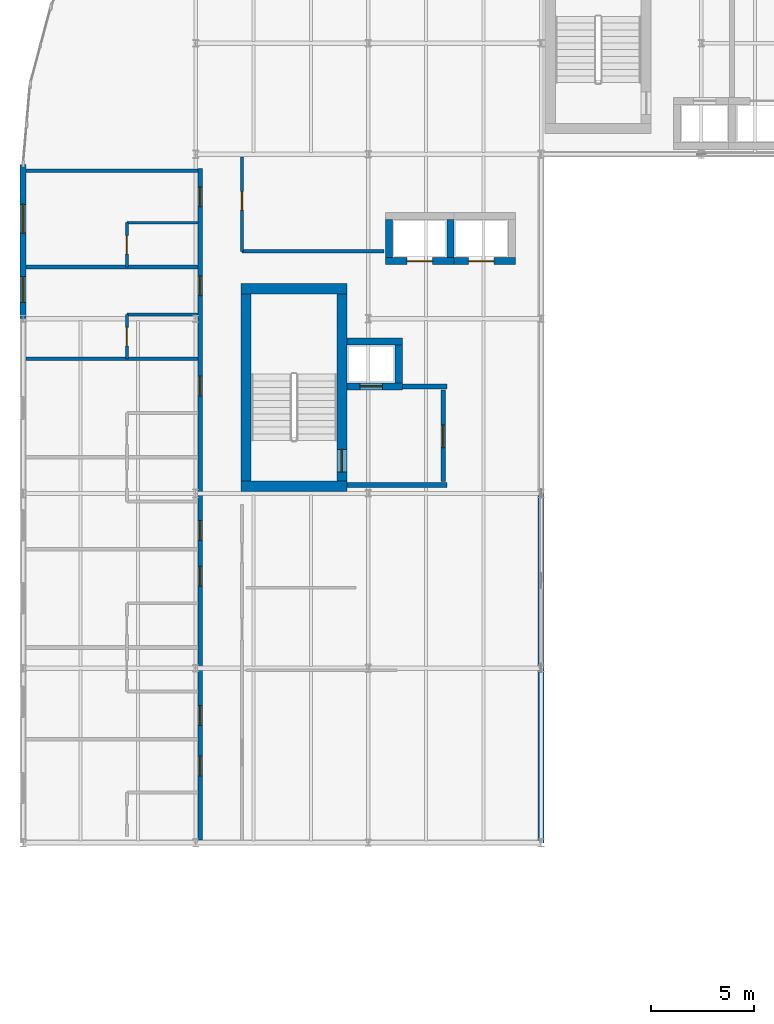
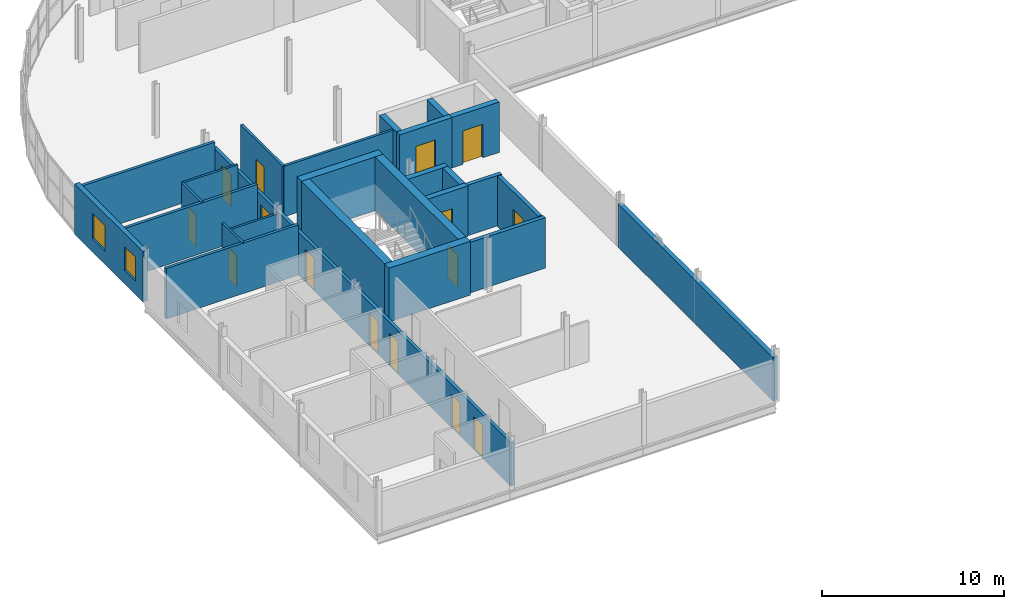
# One storey, part 14 of 25: 26 walls, 15 doors, 2 windows, 17 openings.
"""IFC4 building model written with IfcOpenShell, lengths in metres."""

from ifc_helpers import new_model, si_unit, direction, frame, frame_2d, origin, place, context, subcontext, project, spatial, rectangle, extrude, material, layer, layer_set, type_object, element, fill, save


model = new_model("IFC4")

# Units and contexts
model_context = context("Model", 3, precision=1e-05, world=origin(), true_north=direction((0.0, 1.0)))
body_context = subcontext(model_context, "Body", "Model", "MODEL_VIEW")
ifc_project = project(units=[si_unit("LENGTHUNIT", "METRE"), si_unit("AREAUNIT", "SQUARE_METRE"), si_unit("VOLUMEUNIT", "CUBIC_METRE"), si_unit("PLANEANGLEUNIT", "RADIAN"), si_unit("MASSUNIT", "GRAM", prefix="KILO")], contexts=[model_context])

# Site, building, storey
site_placement = place(None, origin())
site = spatial("IfcSite", under=ifc_project, at=site_placement, CompositionType="ELEMENT")
building_placement = place(site_placement, origin())
building = spatial("IfcBuilding", under=site, at=building_placement, Name="Sefraquen Railside Congress Hotel", CompositionType="ELEMENT")
storey_placement = place(building_placement, frame((0.0, 0.0, 39.0)))
storey = spatial("IfcBuildingStorey", under=building, at=storey_placement, Name="L09", CompositionType="ELEMENT", Elevation=39.0)

# Wall
ifc_material_1 = material(Name="Concrete C50/60", Category="concrete")
ifc_layer_1 = layer(ifc_material_1, 0.35009765625)
ifc_layer_set_1 = layer_set([ifc_layer_1], Name="Concrete C50/60")
wall_type_1 = type_object("IfcWallType", Name="TW-CW-350", PredefinedType="SHEAR", material=ifc_layer_set_1)
wall_1_placement = place(storey_placement, frame((15.760009765625, 86.89501953125, 0.0), z_axis=(0.0, 0.0, 1.0), x_axis=(1.0, 0.0, 0.0)))
element("IfcWall", 1, at=wall_1_placement, inside=storey, type_object=wall_type_1, Name="Lift FL-01 shaft wall N L09", PredefinedType="SHEAR", context=body_context, shape_type="SweptSolid", body=[
    extrude(rectangle(XDim=2.68994140625, YDim=0.35009765625, at=frame_2d((1.344970703125, 0.0))), origin(), (0.0, 0.0, 1.0), 3.3798828125),
])

# Wall, opening, door
wall_2_placement = place(storey_placement, frame((15.760009765625, 84.705078125, 0.0), z_axis=(0.0, 0.0, 1.0), x_axis=(1.0, 0.0, 0.0)))
wall_2 = element("IfcWall", 2, at=wall_2_placement, inside=storey, type_object=wall_type_1, Name="Lift FL-01 shaft wall S L09", PredefinedType="SHEAR", context=body_context, shape_type="SweptSolid", body=[
    extrude(rectangle(XDim=2.68994140625, YDim=0.35009765625, at=frame_2d((1.344970703125, 0.0))), origin(), (0.0, 0.0, 1.0), 3.3798828125),
])
opening_1_placement = place(wall_2_placement, frame((0.6201171875, 0.0, 0.0)))
opening_1 = element("IfcOpeningElement", 3, at=opening_1_placement, cuts=wall_2, Name="Opening LD-01", PredefinedType="OPENING", context=body_context, shape_type="SweptSolid", body=[
    extrude(rectangle(XDim=1.10009765625, YDim=2.199951171875, at=frame_2d((0.550048828125, 1.10009765625))), frame((0.0, 0.18505859375, 0.0), z_axis=(0.0, -1.0, 0.0), x_axis=(1.0, 0.0, 0.0)), (0.0, 0.0, 1.0), 0.3701171875),
])
ifc_material_2 = material(Name="Brushed bronze stainless steel", Category="steel")
door_type_1 = type_object("IfcDoorType", Name="TD-LD-01", OperationType="NOTDEFINED", PredefinedType="DOOR", material=ifc_material_2)
door_1_placement = place(opening_1_placement, origin())
door_1 = element("IfcDoor", 4, at=door_1_placement, inside=storey, type_object=door_type_1, Name="Lift landing door FL-01 L09", OperationType="SLIDING_TO_LEFT", OverallHeight=2.199951171875, OverallWidth=1.10009765625, PredefinedType="DOOR", context=body_context, shape_type="SweptSolid", body=[
    extrude(rectangle(XDim=1.10009765625, YDim=2.199951171875, at=frame_2d((0.550048828125, 1.10009765625))), frame((0.0, 0.02490234375, 0.0), z_axis=(0.0, -1.0, 0.0), x_axis=(1.0, 0.0, 0.0)), (0.0, 0.0, 1.0), 0.050048828125),
])
fill(opening_1, door_1)

# Wall
wall_3_placement = place(storey_placement, frame((18.27490234375, 84.8798828125, 0.0), z_axis=(0.0, 0.0, 1.0), x_axis=(0.0, 1.0, 0.0)))
element("IfcWall", 5, at=wall_3_placement, inside=storey, type_object=wall_type_1, Name="Lift FL-01 shaft wall E L09", PredefinedType="SHEAR", context=body_context, shape_type="SweptSolid", body=[
    extrude(rectangle(XDim=1.840087890625, YDim=0.35009765625, at=frame_2d((0.919921875, 0.0))), origin(), (0.0, 0.0, 1.0), 3.3798828125),
])

# Wall, opening, door
wall_4_placement = place(storey_placement, frame((17.6298828125, 90.804931640625, 0.0), z_axis=(0.0, 0.0, 1.0), x_axis=(1.0, 0.0, 0.0)))
wall_4 = element("IfcWall", 6, at=wall_4_placement, inside=storey, type_object=wall_type_1, Name="Lift PL-01 shaft wall S L09", PredefinedType="SHEAR", context=body_context, shape_type="SweptSolid", body=[
    extrude(rectangle(XDim=3.340087890625, YDim=0.35009765625, at=frame_2d((1.669921875, 0.0))), origin(), (0.0, 0.0, 1.0), 3.3798828125),
])
opening_2_placement = place(wall_4_placement, frame((1.044921875, 0.0, 0.0)))
opening_2 = element("IfcOpeningElement", 7, at=opening_2_placement, cuts=wall_4, Name="Opening LD-02", PredefinedType="OPENING", context=body_context, shape_type="SweptSolid", body=[
    extrude(rectangle(XDim=1.25, YDim=2.25, at=frame_2d((0.625, 1.125))), frame((0.0, 0.18505859375, 0.0), z_axis=(0.0, -1.0, 0.0), x_axis=(1.0, 0.0, 0.0)), (0.0, 0.0, 1.0), 0.3701171875),
])
ifc_material_3 = material(Name="Brushed stainless steel", Category="steel")
door_type_2 = type_object("IfcDoorType", Name="TD-LD-02", OperationType="NOTDEFINED", PredefinedType="DOOR", material=ifc_material_3)
door_2_placement = place(opening_2_placement, origin())
door_2 = element("IfcDoor", 8, at=door_2_placement, inside=storey, type_object=door_type_2, Name="Lift landing door PL-01 L09", OperationType="SLIDING_TO_LEFT", OverallHeight=2.25, OverallWidth=1.25, PredefinedType="DOOR", context=body_context, shape_type="SweptSolid", body=[
    extrude(rectangle(XDim=1.25, YDim=2.25, at=frame_2d((0.625, 1.125))), frame((0.0, 0.02490234375, 0.0), z_axis=(0.0, -1.0, 0.0), x_axis=(1.0, 0.0, 0.0)), (0.0, 0.0, 1.0), 0.050048828125),
])
fill(opening_2, door_2)

# Walls
for number, where, z_axis, x_axis, name in (
    (9, (17.804931640625, 90.97998046875, 0.0), (0.0, 0.0, 1.0), (0.0, 1.0, 0.0), "Lift PL-01 shaft wall W L09"),
    (10, (20.794921875, 90.97998046875, 0.0), (0.0, 0.0, 1.0), (0.0, 1.0, 0.0), "Lift PL-01 shaft wall E L09"),
):
    element("IfcWall", number, at=place(storey_placement, frame(where, z_axis=z_axis, x_axis=x_axis)), inside=storey, type_object=wall_type_1, Name=name, PredefinedType="SHEAR", context=body_context, shape_type="SweptSolid", body=[
        extrude(rectangle(XDim=1.840087890625, YDim=0.35009765625, at=frame_2d((0.919921875, 0.0))), origin(), (0.0, 0.0, 1.0), 3.3798828125),
    ])

# Wall, opening, door
wall_5_placement = place(storey_placement, frame((20.969970703125, 90.804931640625, 0.0), z_axis=(0.0, 0.0, 1.0), x_axis=(1.0, 0.0, 0.0)))
wall_5 = element("IfcWall", 11, at=wall_5_placement, inside=storey, type_object=wall_type_1, Name="Lift PL-02 shaft wall S L09", PredefinedType="SHEAR", context=body_context, shape_type="SweptSolid", body=[
    extrude(rectangle(XDim=2.989990234375, YDim=0.35009765625, at=frame_2d((1.4951171875, 0.0))), origin(), (0.0, 0.0, 1.0), 3.3798828125),
])
opening_3_placement = place(wall_5_placement, frame((0.695068359375, 0.0, 0.0)))
opening_3 = element("IfcOpeningElement", 12, at=opening_3_placement, cuts=wall_5, Name="Opening LD-02", PredefinedType="OPENING", context=body_context, shape_type="SweptSolid", body=[
    extrude(rectangle(XDim=1.25, YDim=2.25, at=frame_2d((0.625, 1.125))), frame((0.0, 0.18505859375, 0.0), z_axis=(0.0, -1.0, 0.0), x_axis=(1.0, 0.0, 0.0)), (0.0, 0.0, 1.0), 0.3701171875),
])
door_3_placement = place(opening_3_placement, origin())
door_3 = element("IfcDoor", 13, at=door_3_placement, inside=storey, type_object=door_type_2, Name="Lift landing door PL-02 L09", OperationType="SLIDING_TO_LEFT", OverallHeight=2.25, OverallWidth=1.25, PredefinedType="DOOR", context=body_context, shape_type="SweptSolid", body=[
    extrude(rectangle(XDim=1.25, YDim=2.25, at=frame_2d((0.625, 1.125))), frame((0.0, 0.02490234375, 0.0), z_axis=(0.0, -1.0, 0.0), x_axis=(1.0, 0.0, 0.0)), (0.0, 0.0, 1.0), 0.050048828125),
])
fill(opening_3, door_3)

# Walls
ifc_layer_2 = layer(ifc_material_1, 0.5)
ifc_layer_set_2 = layer_set([ifc_layer_2], Name="Concrete C50/60")
wall_type_2 = type_object("IfcWallType", Name="TW-CW-500", PredefinedType="SHEAR", material=ifc_layer_set_2)
for number, where, z_axis, x_axis, name in (
    (14, (10.60009765625, 89.4619140625, 0.0), (0.0, 0.0, 1.0), (1.0, 0.0, 0.0), "Core shear wall ST-H01 N L09"),
    (15, (10.60009765625, 79.85009765625, 0.0), (0.0, 0.0, 1.0), (1.0, 0.0, 0.0), "Core shear wall ST-H01 S L09"),
):
    element("IfcWall", number, at=place(storey_placement, frame(where, z_axis=z_axis, x_axis=x_axis)), inside=storey, type_object=wall_type_2, Name=name, PredefinedType="SHEAR", context=body_context, shape_type="SweptSolid", body=[
        extrude(rectangle(XDim=5.159912109375, YDim=0.5, at=frame_2d((2.580078125, 0.0))), origin(), (0.0, 0.0, 1.0), 3.60009765625),
    ])
wall_6_placement = place(storey_placement, frame((10.85009765625, 80.10009765625, 0.0), z_axis=(0.0, 0.0, 1.0), x_axis=(0.0, 1.0, 0.0)))
element("IfcWall", 16, at=wall_6_placement, inside=storey, type_object=wall_type_2, Name="Core shear wall ST-H01 W L09", PredefinedType="SHEAR", context=body_context, shape_type="SweptSolid", body=[
    extrude(rectangle(XDim=9.11181640625, YDim=0.5, at=frame_2d((4.555908203125, 0.0))), origin(), (0.0, 0.0, 1.0), 3.60009765625),
])

# Wall, opening, door
wall_7_placement = place(storey_placement, frame((15.510009765625, 80.10009765625, 0.0), z_axis=(0.0, 0.0, 1.0), x_axis=(0.0, 1.0, 0.0)))
wall_7 = element("IfcWall", 17, at=wall_7_placement, inside=storey, type_object=wall_type_2, Name="Core shear wall ST-H01 E L09", PredefinedType="SHEAR", context=body_context, shape_type="SweptSolid", body=[
    extrude(rectangle(XDim=9.11181640625, YDim=0.5, at=frame_2d((4.555908203125, 0.0))), origin(), (0.0, 0.0, 1.0), 3.60009765625),
])
opening_4_placement = place(wall_7_placement, frame((0.43994140625, 0.0, 0.0)))
opening_4 = element("IfcOpeningElement", 18, at=opening_4_placement, cuts=wall_7, Name="Opening FD-04", PredefinedType="OPENING", context=body_context, shape_type="SweptSolid", body=[
    extrude(rectangle(XDim=1.10009765625, YDim=2.199951171875, at=frame_2d((0.550048828125, 1.10009765625))), frame((0.0, 0.260009765625, 0.0), z_axis=(0.0, -1.0, 0.0), x_axis=(1.0, 0.0, 0.0)), (0.0, 0.0, 1.0), 0.52001953125),
])
ifc_material_4 = material(Name="Fire-rated steel", Category="steel")
door_type_3 = type_object("IfcDoorType", Name="TD-FD-04", OperationType="NOTDEFINED", PredefinedType="DOOR", material=ifc_material_4)
door_4_placement = place(opening_4_placement, origin())
door_4 = element("IfcDoor", 19, at=door_4_placement, inside=storey, type_object=door_type_3, Name="Pressurized stair ST-H01 fire door L09", OperationType="SINGLE_SWING_LEFT", OverallHeight=2.199951171875, OverallWidth=1.10009765625, PredefinedType="DOOR", context=body_context, shape_type="SweptSolid", body=[
    extrude(rectangle(XDim=1.10009765625, YDim=2.199951171875, at=frame_2d((0.550048828125, 1.10009765625))), frame((0.0, 0.02490234375, 0.0), z_axis=(0.0, -1.0, 0.0), x_axis=(1.0, 0.0, 0.0)), (0.0, 0.0, 1.0), 0.050048828125),
])
fill(opening_4, door_4)

# Wall
ifc_material_5 = material(Name="Ochre Rabat calcarenite limestone and Concrete C40/50 backing", Category="masonry")
ifc_layer_3 = layer(ifc_material_5, 0.280029296875)
ifc_layer_set_3 = layer_set([ifc_layer_3], Name="Ochre Rabat calcarenite limestone and Concrete C40/50 backing")
wall_type_3 = type_object("IfcWallType", Name="TW-EW-280", PredefinedType="STANDARD", material=ifc_layer_set_3)
wall_8_placement = place(storey_placement, frame((25.199951171875, 62.5, 0.0), z_axis=(0.0, 0.0, 1.0), x_axis=(0.0, 1.0, 0.0)))
element("IfcWall", 20, at=wall_8_placement, inside=storey, type_object=wall_type_3, Name="Hotel L09 courtyard return wall", PredefinedType="STANDARD", context=body_context, shape_type="SweptSolid", body=[
    extrude(rectangle(XDim=17.0, YDim=0.280029296875, at=frame_2d((8.5, 0.0))), origin(), (0.0, 0.0, 1.0), 2.909912109375),
])

# Wall, openings, windows
ifc_layer_4 = layer(ifc_material_5, 0.300048828125)
ifc_layer_set_4 = layer_set([ifc_layer_4], Name="Ochre Rabat calcarenite limestone and Concrete C40/50 backing")
wall_type_4 = type_object("IfcWallType", Name="TW-EW-300", PredefinedType="STANDARD", material=ifc_layer_set_4)
wall_9_placement = place(storey_placement, frame((0.0, 88.0, 0.0), z_axis=(0.0, 0.0, 1.0), x_axis=(0.0, 1.0, 0.0)))
wall_9 = element("IfcWall", 21, at=wall_9_placement, inside=storey, type_object=wall_type_4, Name="Hotel L09 West Forecourt facade wall", PredefinedType="STANDARD", context=body_context, shape_type="SweptSolid", body=[
    extrude(rectangle(XDim=7.5, YDim=0.300048828125, at=frame_2d((3.75, 0.0))), origin(), (0.0, 0.0, 1.0), 3.3798828125),
])
opening_5_placement = place(wall_9_placement, frame((0.800048828125, 0.0, 0.89990234375)))
opening_5 = element("IfcOpeningElement", 22, at=opening_5_placement, cuts=wall_9, Name="Opening WN-22", PredefinedType="OPENING", context=body_context, shape_type="SweptSolid", body=[
    extrude(rectangle(XDim=1.25, YDim=1.60009765625, at=frame_2d((0.625, 0.800048828125))), frame((0.0, 0.159912109375, 0.0), z_axis=(0.0, -1.0, 0.0), x_axis=(1.0, 0.0, 0.0)), (0.0, 0.0, 1.0), 0.320068359375),
])
opening_6_placement = place(wall_9_placement, frame((4.158935546875, 0.0, 0.89990234375)))
opening_6 = element("IfcOpeningElement", 23, at=opening_6_placement, cuts=wall_9, Name="Opening WN-23", PredefinedType="OPENING", context=body_context, shape_type="SweptSolid", body=[
    extrude(rectangle(XDim=1.39990234375, YDim=1.699951171875, at=frame_2d((0.699951171875, 0.85009765625))), frame((0.0, 0.159912109375, 0.0), z_axis=(0.0, -1.0, 0.0), x_axis=(1.0, 0.0, 0.0)), (0.0, 0.0, 1.0), 0.320068359375),
])
ifc_material_6 = material(Name="Solar-control low-E double glazing in bronze-anodised frame", Category="glass")
window_type_1 = type_object("IfcWindowType", Name="TWN-W-22", PartitioningType="DOUBLE_PANEL_VERTICAL", PredefinedType="WINDOW", material=ifc_material_6)
window_1_placement = place(opening_5_placement, origin())
window_1 = element("IfcWindow", 24, at=window_1_placement, inside=storey, type_object=window_type_1, Name="Guest room west window SP-L09-RM-031", OverallHeight=1.60009765625, OverallWidth=1.25, PartitioningType="DOUBLE_PANEL_VERTICAL", PredefinedType="WINDOW", context=body_context, shape_type="SweptSolid", body=[
    extrude(rectangle(XDim=1.25, YDim=1.60009765625, at=frame_2d((0.625, 0.800048828125))), frame((0.0, 0.030029296875, 0.0), z_axis=(0.0, -1.0, 0.0), x_axis=(1.0, 0.0, 0.0)), (0.0, 0.0, 1.0), 0.06005859375),
])
fill(opening_5, window_1)
window_type_2 = type_object("IfcWindowType", Name="TWN-W-23", PartitioningType="DOUBLE_PANEL_VERTICAL", PredefinedType="WINDOW", material=ifc_material_6)
window_2_placement = place(opening_6_placement, origin())
window_2 = element("IfcWindow", 25, at=window_2_placement, inside=storey, type_object=window_type_2, Name="Guest room west window SP-L09-RM-032", OverallHeight=1.699951171875, OverallWidth=1.39990234375, PartitioningType="DOUBLE_PANEL_VERTICAL", PredefinedType="WINDOW", context=body_context, shape_type="SweptSolid", body=[
    extrude(rectangle(XDim=1.39990234375, YDim=1.699951171875, at=frame_2d((0.699951171875, 0.85009765625))), frame((0.0, 0.030029296875, 0.0), z_axis=(0.0, -1.0, 0.0), x_axis=(1.0, 0.0, 0.0)), (0.0, 0.0, 1.0), 0.06005859375),
])
fill(opening_6, window_2)

# Walls
ifc_material_7 = material(Name="Concrete C40/50", Category="concrete")
ifc_layer_5 = layer(ifc_material_7, 0.239990234375)
ifc_layer_set_5 = layer_set([ifc_layer_5], Name="Concrete C40/50")
wall_type_5 = type_object("IfcWallType", Name="TW-FW-240", PredefinedType="STANDARD", material=ifc_layer_set_5)
wall_10_placement = place(storey_placement, frame((15.760009765625, 79.89990234375, 0.0), z_axis=(0.0, 0.0, 1.0), x_axis=(1.0, 0.0, 0.0)))
element("IfcWall", 26, at=wall_10_placement, inside=storey, type_object=wall_type_5, Name="Firefighting Lift Lobby FFL-01 S fire wall L09", PredefinedType="STANDARD", context=body_context, shape_type="SweptSolid", body=[
    extrude(rectangle(XDim=4.860107421875, YDim=0.239990234375, at=frame_2d((2.43017578125, 0.0))), origin(), (0.0, 0.0, 1.0), 3.3798828125),
])
wall_11_placement = place(storey_placement, frame((18.449951171875, 84.705078125, 0.0), z_axis=(0.0, 0.0, 1.0), x_axis=(1.0, 0.0, 0.0)))
element("IfcWall", 27, at=wall_11_placement, inside=storey, type_object=wall_type_5, Name="Firefighting Lift Lobby FFL-01 N fire wall L09", PredefinedType="STANDARD", context=body_context, shape_type="SweptSolid", body=[
    extrude(rectangle(XDim=2.170166015625, YDim=0.239990234375, at=frame_2d((1.0849609375, 0.0))), origin(), (0.0, 0.0, 1.0), 3.3798828125),
])

# Wall, opening, door
wall_12_placement = place(storey_placement, frame((20.43994140625, 80.080078125, 0.0), z_axis=(0.0, 0.0, 1.0), x_axis=(0.0, 1.0, 0.0)))
wall_12 = element("IfcWall", 28, at=wall_12_placement, inside=storey, type_object=wall_type_5, Name="Firefighting Lift Lobby FFL-01 EI 120 separation wall L09", PredefinedType="STANDARD", context=body_context, shape_type="SweptSolid", body=[
    extrude(rectangle(XDim=4.449951171875, YDim=0.239990234375, at=frame_2d((2.22509765625, 0.0))), origin(), (0.0, 0.0, 1.0), 3.3798828125),
])
opening_7_placement = place(wall_12_placement, frame((1.64990234375, 0.0, 0.0)))
opening_7 = element("IfcOpeningElement", 29, at=opening_7_placement, cuts=wall_12, Name="Opening FD-04", PredefinedType="OPENING", context=body_context, shape_type="SweptSolid", body=[
    extrude(rectangle(XDim=1.10009765625, YDim=2.199951171875, at=frame_2d((0.550048828125, 1.10009765625))), frame((0.0, 0.1298828125, 0.0), z_axis=(0.0, -1.0, 0.0), x_axis=(1.0, 0.0, 0.0)), (0.0, 0.0, 1.0), 0.260009765625),
])
door_5_placement = place(opening_7_placement, origin())
door_5 = element("IfcDoor", 30, at=door_5_placement, inside=storey, type_object=door_type_3, Name="Firefighting Lift Lobby FFL-01 self-closing fire door L09", OperationType="SINGLE_SWING_LEFT", OverallHeight=2.199951171875, OverallWidth=1.10009765625, PredefinedType="DOOR", context=body_context, shape_type="SweptSolid", body=[
    extrude(rectangle(XDim=1.10009765625, YDim=2.199951171875, at=frame_2d((0.550048828125, 1.10009765625))), frame((0.0, 0.02490234375, 0.0), z_axis=(0.0, -1.0, 0.0), x_axis=(1.0, 0.0, 0.0)), (0.0, 0.0, 1.0), 0.050048828125),
])
fill(opening_7, door_5)

# Wall
ifc_material_8 = material(Name="Moisture-resistant gypsum board", Category="gypsum")
ifc_layer_6 = layer(ifc_material_8, 0.139892578125)
ifc_layer_set_6 = layer_set([ifc_layer_6], Name="Moisture-resistant gypsum board")
wall_type_6 = type_object("IfcWallType", Name="TW-PW-140", PredefinedType="PARTITIONING", material=ifc_layer_set_6)
wall_13_placement = place(storey_placement, frame((5.050048828125, 88.197998046875, 0.0), z_axis=(0.0, 0.0, 1.0), x_axis=(1.0, 0.0, 0.0)))
element("IfcWall", 31, at=wall_13_placement, inside=storey, type_object=wall_type_6, Name="West en-suite bathroom north wall RM-031", PredefinedType="PARTITIONING", context=body_context, shape_type="SweptSolid", body=[
    extrude(rectangle(XDim=3.469970703125, YDim=0.139892578125, at=frame_2d((1.73486328125, 0.0))), origin(), (0.0, 0.0, 1.0), 2.820068359375),
])

# Wall, opening, door
wall_14_placement = place(storey_placement, frame((5.050048828125, 86.048095703125, 0.0), z_axis=(0.0, 0.0, 1.0), x_axis=(0.0, 1.0, 0.0)))
wall_14 = element("IfcWall", 32, at=wall_14_placement, inside=storey, type_object=wall_type_6, Name="West en-suite bathroom west wall RM-031", PredefinedType="PARTITIONING", context=body_context, shape_type="SweptSolid", body=[
    extrude(rectangle(XDim=2.14990234375, YDim=0.139892578125, at=frame_2d((1.074951171875, 0.0))), origin(), (0.0, 0.0, 1.0), 3.3798828125),
])
opening_8_placement = place(wall_14_placement, frame((0.625, 0.0, 0.0)))
opening_8 = element("IfcOpeningElement", 33, at=opening_8_placement, cuts=wall_14, Name="Opening ID-02", PredefinedType="OPENING", context=body_context, shape_type="SweptSolid", body=[
    extrude(rectangle(XDim=0.89990234375, YDim=2.10009765625, at=frame_2d((0.449951171875, 1.050048828125))), frame((0.0, 0.079833984375, 0.0), z_axis=(0.0, -1.0, 0.0), x_axis=(1.0, 0.0, 0.0)), (0.0, 0.0, 1.0), 0.159912109375),
])
ifc_material_9 = material(Name="Lacquered cedar joinery", Category="wood")
door_type_4 = type_object("IfcDoorType", Name="TD-ID-02", OperationType="NOTDEFINED", PredefinedType="DOOR", material=ifc_material_9)
door_6_placement = place(opening_8_placement, frame((0.89990234375, 0.0, 0.0), z_axis=(0.0, 0.0, 1.0), x_axis=(-1.0, 0.0, 0.0)))
door_6 = element("IfcDoor", 34, at=door_6_placement, inside=storey, type_object=door_type_4, Name="En-suite bathroom door RM-031", OperationType="SINGLE_SWING_LEFT", OverallHeight=2.10009765625, OverallWidth=0.89990234375, PredefinedType="DOOR", context=body_context, shape_type="SweptSolid", body=[
    extrude(rectangle(XDim=0.89990234375, YDim=2.10009765625, at=frame_2d((0.449951171875, 1.050048828125))), frame((0.0, 0.02490234375, 0.0), z_axis=(0.0, -1.0, 0.0), x_axis=(1.0, 0.0, 0.0)), (0.0, 0.0, 1.0), 0.050048828125),
])
fill(opening_8, door_6)

# Wall
wall_15_placement = place(storey_placement, frame((5.050048828125, 92.6689453125, 0.0), z_axis=(0.0, 0.0, 1.0), x_axis=(1.0, 0.0, 0.0)))
element("IfcWall", 35, at=wall_15_placement, inside=storey, type_object=wall_type_6, Name="West en-suite bathroom north wall RM-032", PredefinedType="PARTITIONING", context=body_context, shape_type="SweptSolid", body=[
    extrude(rectangle(XDim=3.469970703125, YDim=0.139892578125, at=frame_2d((1.73486328125, 0.0))), origin(), (0.0, 0.0, 1.0), 3.3798828125),
])

# Wall, opening, door
wall_16_placement = place(storey_placement, frame((5.050048828125, 90.51904296875, 0.0), z_axis=(0.0, 0.0, 1.0), x_axis=(0.0, 1.0, 0.0)))
wall_16 = element("IfcWall", 36, at=wall_16_placement, inside=storey, type_object=wall_type_6, Name="West en-suite bathroom west wall RM-032", PredefinedType="PARTITIONING", context=body_context, shape_type="SweptSolid", body=[
    extrude(rectangle(XDim=2.14990234375, YDim=0.139892578125, at=frame_2d((1.074951171875, 0.0))), origin(), (0.0, 0.0, 1.0), 3.3798828125),
])
opening_9_placement = place(wall_16_placement, frame((0.625, 0.0, 0.0)))
opening_9 = element("IfcOpeningElement", 37, at=opening_9_placement, cuts=wall_16, Name="Opening ID-02", PredefinedType="OPENING", context=body_context, shape_type="SweptSolid", body=[
    extrude(rectangle(XDim=0.89990234375, YDim=2.10009765625, at=frame_2d((0.449951171875, 1.050048828125))), frame((0.0, 0.079833984375, 0.0), z_axis=(0.0, -1.0, 0.0), x_axis=(1.0, 0.0, 0.0)), (0.0, 0.0, 1.0), 0.159912109375),
])
door_7_placement = place(opening_9_placement, frame((0.89990234375, 0.0, 0.0), z_axis=(0.0, 0.0, 1.0), x_axis=(-1.0, 0.0, 0.0)))
door_7 = element("IfcDoor", 38, at=door_7_placement, inside=storey, type_object=door_type_4, Name="En-suite bathroom door RM-032", OperationType="SINGLE_SWING_LEFT", OverallHeight=2.10009765625, OverallWidth=0.89990234375, PredefinedType="DOOR", context=body_context, shape_type="SweptSolid", body=[
    extrude(rectangle(XDim=0.89990234375, YDim=2.10009765625, at=frame_2d((0.449951171875, 1.050048828125))), frame((0.0, 0.02490234375, 0.0), z_axis=(0.0, -1.0, 0.0), x_axis=(1.0, 0.0, 0.0)), (0.0, 0.0, 1.0), 0.050048828125),
])
fill(opening_9, door_7)

ifc_layer_7 = layer(ifc_material_8, 0.159912109375)
ifc_layer_set_7 = layer_set([ifc_layer_7], Name="Moisture-resistant gypsum board")
wall_type_7 = type_object("IfcWallType", Name="TW-PW-160", PredefinedType="PARTITIONING", material=ifc_layer_set_7)
wall_17_placement = place(storey_placement, frame((10.64990234375, 91.280029296875, 0.0), z_axis=(0.0, 0.0, 1.0), x_axis=(0.0, 1.0, 0.0)))
wall_17 = element("IfcWall", 39, at=wall_17_placement, inside=storey, type_object=wall_type_7, Name="Hotel L09 west-return corridor E2 partition", PredefinedType="PARTITIONING", context=body_context, shape_type="SweptSolid", body=[
    extrude(rectangle(XDim=4.580078125, YDim=0.159912109375, at=frame_2d((2.2900390625, 0.0))), origin(), (0.0, 0.0, 1.0), 3.3798828125),
])
opening_10_placement = place(wall_17_placement, frame((2.0, 0.0, 0.0)))
opening_10 = element("IfcOpeningElement", 40, at=opening_10_placement, cuts=wall_17, Name="Opening ID-02", PredefinedType="OPENING", context=body_context, shape_type="SweptSolid", body=[
    extrude(rectangle(XDim=0.89990234375, YDim=2.10009765625, at=frame_2d((0.449951171875, 1.050048828125))), frame((0.0, 0.08984375, 0.0), z_axis=(0.0, -1.0, 0.0), x_axis=(1.0, 0.0, 0.0)), (0.0, 0.0, 1.0), 0.179931640625),
])
door_8_placement = place(opening_10_placement, origin())
door_8 = element("IfcDoor", 41, at=door_8_placement, inside=storey, type_object=door_type_4, Name="Hotel floor Staff WC door L09", OperationType="SINGLE_SWING_RIGHT", OverallHeight=2.10009765625, OverallWidth=0.89990234375, PredefinedType="DOOR", context=body_context, shape_type="SweptSolid", body=[
    extrude(rectangle(XDim=0.89990234375, YDim=2.10009765625, at=frame_2d((0.449951171875, 1.050048828125))), frame((0.0, 0.02490234375, 0.0), z_axis=(0.0, -1.0, 0.0), x_axis=(1.0, 0.0, 0.0)), (0.0, 0.0, 1.0), 0.050048828125),
])
fill(opening_10, door_8)

# Walls
wall_18_placement = place(storey_placement, frame((10.64990234375, 91.280029296875, 0.0), z_axis=(0.0, 0.0, 1.0), x_axis=(1.0, 0.0, 0.0)))
element("IfcWall", 42, at=wall_18_placement, inside=storey, type_object=wall_type_7, Name="Hotel L09 staff WC south enclosure partition", PredefinedType="PARTITIONING", context=body_context, shape_type="SweptSolid", body=[
    extrude(rectangle(XDim=6.900146484375, YDim=0.159912109375, at=frame_2d((3.4501953125, 0.0))), origin(), (0.0, 0.0, 1.0), 3.3798828125),
])
ifc_material_10 = material(Name="Acoustic gypsum board on metal stud", Category="gypsum")
ifc_layer_8 = layer(ifc_material_10, 0.179931640625)
ifc_layer_set_8 = layer_set([ifc_layer_8], Name="Acoustic gypsum board on metal stud")
wall_type_8 = type_object("IfcWallType", Name="TW-PW-180", PredefinedType="PARTITIONING", material=ifc_layer_set_8)
for number, where, z_axis, x_axis, name in (
    (43, (0.14990234375, 86.048095703125, 0.0), (0.0, 0.0, 1.0), (1.0, 0.0, 0.0), "West return guest room demising wall RM-030"),
    (44, (0.14990234375, 90.51904296875, 0.0), (0.0, 0.0, 1.0), (1.0, 0.0, 0.0), "West return guest room demising wall RM-031"),
    (45, (0.14990234375, 95.199951171875, 0.0), (0.0, 0.0, 1.0), (1.0, 0.0, 0.0), "West return guest room demising wall RM-032"),
):
    element("IfcWall", number, at=place(storey_placement, frame(where, z_axis=z_axis, x_axis=x_axis)), inside=storey, type_object=wall_type_8, Name=name, PredefinedType="PARTITIONING", context=body_context, shape_type="SweptSolid", body=[
        extrude(rectangle(XDim=8.3701171875, YDim=0.179931640625, at=frame_2d((4.18505859375, 0.0))), origin(), (0.0, 0.0, 1.0), 3.3798828125),
    ])

# Wall, openings, doors
ifc_layer_9 = layer(ifc_material_10, 0.199951171875)
ifc_layer_set_9 = layer_set([ifc_layer_9], Name="Acoustic gypsum board on metal stud")
wall_type_9 = type_object("IfcWallType", Name="TW-PW-200", PredefinedType="PARTITIONING", material=ifc_layer_set_9)
wall_19_placement = place(storey_placement, frame((8.6201171875, 62.639892578125, 0.0), z_axis=(0.0, 0.0, 1.0), x_axis=(0.0, 1.0, 0.0)))
wall_19 = element("IfcWall", 46, at=wall_19_placement, inside=storey, type_object=wall_type_9, Name="Hotel L09 west-return corridor W partition", PredefinedType="PARTITIONING", context=body_context, shape_type="SweptSolid", body=[
    extrude(rectangle(XDim=32.66015625, YDim=0.199951171875, at=frame_2d((16.330078125, 0.0))), origin(), (0.0, 0.0, 1.0), 2.909912109375),
])
opening_11_placement = place(wall_19_placement, frame((3.1220703125, 0.0, 0.0)))
opening_11 = element("IfcOpeningElement", 47, at=opening_11_placement, cuts=wall_19, Name="Opening GD-02", PredefinedType="OPENING", context=body_context, shape_type="SweptSolid", body=[
    extrude(rectangle(XDim=0.9599609375, YDim=2.199951171875, at=frame_2d((0.47998046875, 1.10009765625))), frame((0.0, 0.10986328125, 0.0), z_axis=(0.0, -1.0, 0.0), x_axis=(1.0, 0.0, 0.0)), (0.0, 0.0, 1.0), 0.219970703125),
])
opening_12_placement = place(wall_19_placement, frame((5.574951171875, 0.0, 0.0)))
opening_12 = element("IfcOpeningElement", 48, at=opening_12_placement, cuts=wall_19, Name="Opening GD-02", PredefinedType="OPENING", context=body_context, shape_type="SweptSolid", body=[
    extrude(rectangle(XDim=0.9599609375, YDim=2.199951171875, at=frame_2d((0.47998046875, 1.10009765625))), frame((0.0, 0.10986328125, 0.0), z_axis=(0.0, -1.0, 0.0), x_axis=(1.0, 0.0, 0.0)), (0.0, 0.0, 1.0), 0.219970703125),
])
opening_13_placement = place(wall_19_placement, frame((12.35302734375, 0.0, 0.0)))
opening_13 = element("IfcOpeningElement", 49, at=opening_13_placement, cuts=wall_19, Name="Opening GD-02", PredefinedType="OPENING", context=body_context, shape_type="SweptSolid", body=[
    extrude(rectangle(XDim=0.9599609375, YDim=2.199951171875, at=frame_2d((0.47998046875, 1.10009765625))), frame((0.0, 0.10986328125, 0.0), z_axis=(0.0, -1.0, 0.0), x_axis=(1.0, 0.0, 0.0)), (0.0, 0.0, 1.0), 0.219970703125),
])
opening_14_placement = place(wall_19_placement, frame((14.5810546875, 0.0, 0.0)))
opening_14 = element("IfcOpeningElement", 50, at=opening_14_placement, cuts=wall_19, Name="Opening GD-02", PredefinedType="OPENING", context=body_context, shape_type="SweptSolid", body=[
    extrude(rectangle(XDim=0.9599609375, YDim=2.199951171875, at=frame_2d((0.47998046875, 1.10009765625))), frame((0.0, 0.10986328125, 0.0), z_axis=(0.0, -1.0, 0.0), x_axis=(1.0, 0.0, 0.0)), (0.0, 0.0, 1.0), 0.219970703125),
])
opening_15_placement = place(wall_19_placement, frame((21.610107421875, 0.0, 0.0)))
opening_15 = element("IfcOpeningElement", 51, at=opening_15_placement, cuts=wall_19, Name="Opening GD-02", PredefinedType="OPENING", context=body_context, shape_type="SweptSolid", body=[
    extrude(rectangle(XDim=0.9599609375, YDim=2.199951171875, at=frame_2d((0.47998046875, 1.10009765625))), frame((0.0, 0.10986328125, 0.0), z_axis=(0.0, -1.0, 0.0), x_axis=(1.0, 0.0, 0.0)), (0.0, 0.0, 1.0), 0.219970703125),
])
opening_16_placement = place(wall_19_placement, frame((26.488037109375, 0.0, 0.0)))
opening_16 = element("IfcOpeningElement", 52, at=opening_16_placement, cuts=wall_19, Name="Opening GD-02", PredefinedType="OPENING", context=body_context, shape_type="SweptSolid", body=[
    extrude(rectangle(XDim=0.9599609375, YDim=2.199951171875, at=frame_2d((0.47998046875, 1.10009765625))), frame((0.0, 0.10986328125, 0.0), z_axis=(0.0, -1.0, 0.0), x_axis=(1.0, 0.0, 0.0)), (0.0, 0.0, 1.0), 0.219970703125),
])
opening_17_placement = place(wall_19_placement, frame((30.81396484375, 0.0, 0.0)))
opening_17 = element("IfcOpeningElement", 53, at=opening_17_placement, cuts=wall_19, Name="Opening GD-02", PredefinedType="OPENING", context=body_context, shape_type="SweptSolid", body=[
    extrude(rectangle(XDim=0.9599609375, YDim=2.199951171875, at=frame_2d((0.47998046875, 1.10009765625))), frame((0.0, 0.10986328125, 0.0), z_axis=(0.0, -1.0, 0.0), x_axis=(1.0, 0.0, 0.0)), (0.0, 0.0, 1.0), 0.219970703125),
])
ifc_material_11 = material(Name="Solid Atlas cedar timber fire leaf", Category="wood")
door_type_5 = type_object("IfcDoorType", Name="TD-GD-02", OperationType="NOTDEFINED", PredefinedType="DOOR", material=ifc_material_11)
door_9_placement = place(opening_11_placement, frame((0.9599609375, 0.0, 0.0), z_axis=(0.0, 0.0, 1.0), x_axis=(-1.0, 0.0, 0.0)))
door_9 = element("IfcDoor", 54, at=door_9_placement, inside=storey, type_object=door_type_5, Name="Guest room entrance fire door RM-026", OperationType="SINGLE_SWING_RIGHT", OverallHeight=2.199951171875, OverallWidth=0.9599609375, PredefinedType="DOOR", context=body_context, shape_type="SweptSolid", body=[
    extrude(rectangle(XDim=0.9599609375, YDim=2.199951171875, at=frame_2d((0.47998046875, 1.10009765625))), frame((0.0, 0.02490234375, 0.0), z_axis=(0.0, -1.0, 0.0), x_axis=(1.0, 0.0, 0.0)), (0.0, 0.0, 1.0), 0.050048828125),
])
fill(opening_11, door_9)
door_10_placement = place(opening_12_placement, frame((0.9599609375, 0.0, 0.0), z_axis=(0.0, 0.0, 1.0), x_axis=(-1.0, 0.0, 0.0)))
door_10 = element("IfcDoor", 55, at=door_10_placement, inside=storey, type_object=door_type_5, Name="Guest room entrance fire door RM-027", OperationType="SINGLE_SWING_RIGHT", OverallHeight=2.199951171875, OverallWidth=0.9599609375, PredefinedType="DOOR", context=body_context, shape_type="SweptSolid", body=[
    extrude(rectangle(XDim=0.9599609375, YDim=2.199951171875, at=frame_2d((0.47998046875, 1.10009765625))), frame((0.0, 0.02490234375, 0.0), z_axis=(0.0, -1.0, 0.0), x_axis=(1.0, 0.0, 0.0)), (0.0, 0.0, 1.0), 0.050048828125),
])
fill(opening_12, door_10)
door_11_placement = place(opening_13_placement, frame((0.9599609375, 0.0, 0.0), z_axis=(0.0, 0.0, 1.0), x_axis=(-1.0, 0.0, 0.0)))
door_11 = element("IfcDoor", 56, at=door_11_placement, inside=storey, type_object=door_type_5, Name="Guest room entrance fire door RM-028", OperationType="SINGLE_SWING_RIGHT", OverallHeight=2.199951171875, OverallWidth=0.9599609375, PredefinedType="DOOR", context=body_context, shape_type="SweptSolid", body=[
    extrude(rectangle(XDim=0.9599609375, YDim=2.199951171875, at=frame_2d((0.47998046875, 1.10009765625))), frame((0.0, 0.02490234375, 0.0), z_axis=(0.0, -1.0, 0.0), x_axis=(1.0, 0.0, 0.0)), (0.0, 0.0, 1.0), 0.050048828125),
])
fill(opening_13, door_11)
door_12_placement = place(opening_14_placement, frame((0.9599609375, 0.0, 0.0), z_axis=(0.0, 0.0, 1.0), x_axis=(-1.0, 0.0, 0.0)))
door_12 = element("IfcDoor", 57, at=door_12_placement, inside=storey, type_object=door_type_5, Name="Guest room entrance fire door RM-029", OperationType="SINGLE_SWING_RIGHT", OverallHeight=2.199951171875, OverallWidth=0.9599609375, PredefinedType="DOOR", context=body_context, shape_type="SweptSolid", body=[
    extrude(rectangle(XDim=0.9599609375, YDim=2.199951171875, at=frame_2d((0.47998046875, 1.10009765625))), frame((0.0, 0.02490234375, 0.0), z_axis=(0.0, -1.0, 0.0), x_axis=(1.0, 0.0, 0.0)), (0.0, 0.0, 1.0), 0.050048828125),
])
fill(opening_14, door_12)
door_13_placement = place(opening_15_placement, frame((0.9599609375, 0.0, 0.0), z_axis=(0.0, 0.0, 1.0), x_axis=(-1.0, 0.0, 0.0)))
door_13 = element("IfcDoor", 58, at=door_13_placement, inside=storey, type_object=door_type_5, Name="Guest room entrance fire door RM-030", OperationType="SINGLE_SWING_RIGHT", OverallHeight=2.199951171875, OverallWidth=0.9599609375, PredefinedType="DOOR", context=body_context, shape_type="SweptSolid", body=[
    extrude(rectangle(XDim=0.9599609375, YDim=2.199951171875, at=frame_2d((0.47998046875, 1.10009765625))), frame((0.0, 0.02490234375, 0.0), z_axis=(0.0, -1.0, 0.0), x_axis=(1.0, 0.0, 0.0)), (0.0, 0.0, 1.0), 0.050048828125),
])
fill(opening_15, door_13)
door_14_placement = place(opening_16_placement, frame((0.9599609375, 0.0, 0.0), z_axis=(0.0, 0.0, 1.0), x_axis=(-1.0, 0.0, 0.0)))
door_14 = element("IfcDoor", 59, at=door_14_placement, inside=storey, type_object=door_type_5, Name="Guest room entrance fire door RM-031", OperationType="SINGLE_SWING_RIGHT", OverallHeight=2.199951171875, OverallWidth=0.9599609375, PredefinedType="DOOR", context=body_context, shape_type="SweptSolid", body=[
    extrude(rectangle(XDim=0.9599609375, YDim=2.199951171875, at=frame_2d((0.47998046875, 1.10009765625))), frame((0.0, 0.02490234375, 0.0), z_axis=(0.0, -1.0, 0.0), x_axis=(1.0, 0.0, 0.0)), (0.0, 0.0, 1.0), 0.050048828125),
])
fill(opening_16, door_14)
door_15_placement = place(opening_17_placement, frame((0.9599609375, 0.0, 0.0), z_axis=(0.0, 0.0, 1.0), x_axis=(-1.0, 0.0, 0.0)))
door_15 = element("IfcDoor", 60, at=door_15_placement, inside=storey, type_object=door_type_5, Name="Guest room entrance fire door RM-032", OperationType="SINGLE_SWING_RIGHT", OverallHeight=2.199951171875, OverallWidth=0.9599609375, PredefinedType="DOOR", context=body_context, shape_type="SweptSolid", body=[
    extrude(rectangle(XDim=0.9599609375, YDim=2.199951171875, at=frame_2d((0.47998046875, 1.10009765625))), frame((0.0, 0.02490234375, 0.0), z_axis=(0.0, -1.0, 0.0), x_axis=(1.0, 0.0, 0.0)), (0.0, 0.0, 1.0), 0.050048828125),
])
fill(opening_17, door_15)

save(model, "model.ifc")
